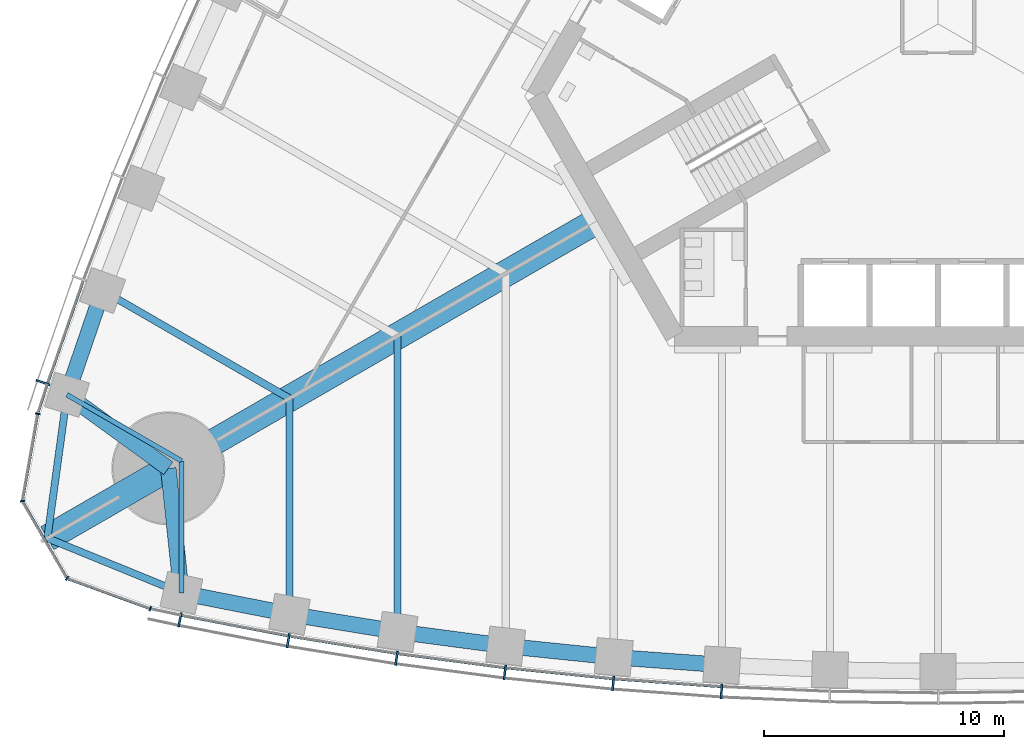
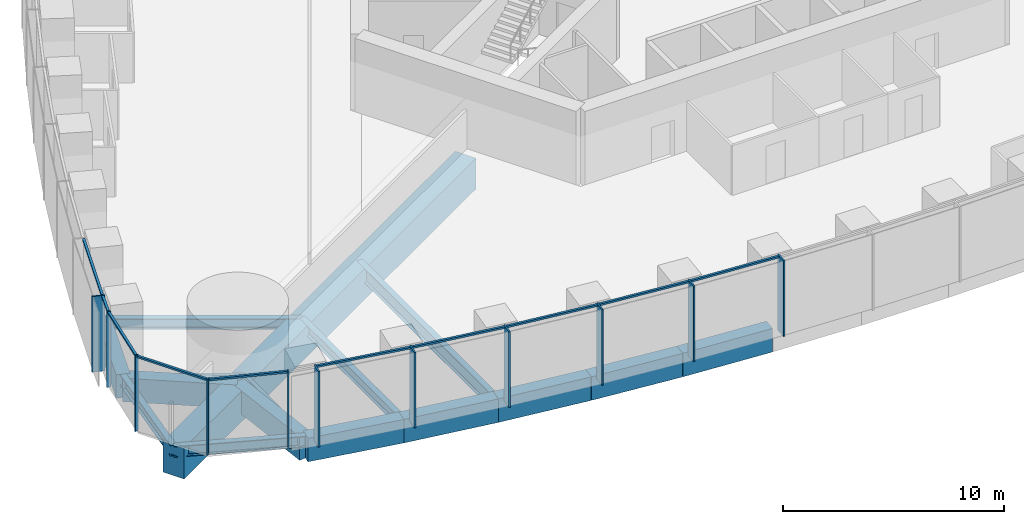
# One storey, part 2 of 18: 21 members, 17 beams, 3 elements without a shape of their own.
"""IFC4 building model written with IfcOpenShell, lengths in metres."""

from ifc_helpers import new_model, si_unit, direction, frame, origin, origin_2d, place, context, subcontext, project, spatial, rectangle, i_section, extrude, material, material_profile, profile_set, type_object, element, aggregate, save


model = new_model("IFC4")

# Units and contexts
model_context = context("Model", 3, precision=1e-05, world=origin(), true_north=direction((0.0, 1.0)))
body_context = subcontext(model_context, "Body", "Model", "MODEL_VIEW")
ifc_project = project(units=[si_unit("LENGTHUNIT", "METRE"), si_unit("AREAUNIT", "SQUARE_METRE"), si_unit("VOLUMEUNIT", "CUBIC_METRE"), si_unit("PLANEANGLEUNIT", "RADIAN"), si_unit("MASSUNIT", "GRAM", prefix="KILO")], contexts=[model_context])

# Site, building, storey
site_placement = place(None, origin())
site = spatial("IfcSite", under=ifc_project, at=site_placement, CompositionType="ELEMENT")
building_placement = place(site_placement, origin())
building = spatial("IfcBuilding", under=site, at=building_placement, Name="Trefoil Bronze Tower", CompositionType="ELEMENT")
storey_placement = place(building_placement, frame((0.0, 0.0, 50.10009765625)))
storey = spatial("IfcBuildingStorey", under=building, at=storey_placement, Name="L11", CompositionType="ELEMENT", Elevation=50.10009765625)

# Curtain wall, members
ifc_material_1 = material(Name="Tinted solar-control glass", Category="glass")
curtain_wall_type_1 = type_object("IfcCurtainWallType", Name="Bronze office curtain wall", PredefinedType="USERDEFINED", material=ifc_material_1)
curtain_wall_1_placement = place(storey_placement, origin())
curtain_wall_1 = element("IfcCurtainWall", 1, at=curtain_wall_1_placement, inside=storey, type_object=curtain_wall_type_1, Name="CW-A L11 F1", ObjectType="CURTAIN WALL", PredefinedType="USERDEFINED")
ifc_material_2 = material(Name="Bronze-finish aluminium", Category="aluminium")
ifc_material_profile_1 = material_profile(ifc_material_2, rectangle(XDim=0.60009765625, YDim=0.080078125, at=origin_2d()), Name="CW-A mullion")
ifc_profile_set_1 = profile_set([ifc_material_profile_1], Name="Bronze-finish aluminium")
member_type_1 = type_object("IfcMemberType", Name="Bronze office curtain wall mullion", PredefinedType="MULLION", material=ifc_profile_set_1)
member_1_placement = place(storey_placement, frame((-31.559326171875, -24.81005859375, 0.0), z_axis=(0.0, 0.0, 1.0), x_axis=(0.197910006829, 0.98022019424, 0.0)))
member_1 = element("IfcMember", 2, at=member_1_placement, type_object=member_type_1, Name="CW-A L11 F1 mullion 2", PredefinedType="MULLION", context=body_context, shape_type="SweptSolid", body=[
    extrude(rectangle(XDim=0.60009765625, YDim=0.080078125, at=origin_2d()), origin(), (0.0, 0.0, 1.0), 4.179931640625),
])
member_2_placement = place(storey_placement, frame((-27.05224609375, -25.67578125, 0.0), z_axis=(0.0, 0.0, 1.0), x_axis=(0.174131146426, 0.984722470468, 0.0)))
member_2 = element("IfcMember", 3, at=member_2_placement, type_object=member_type_1, Name="CW-A L11 F1 mullion 3", PredefinedType="MULLION", context=body_context, shape_type="SweptSolid", body=[
    extrude(rectangle(XDim=0.60009765625, YDim=0.080078125, at=origin_2d()), origin(), (0.0, 0.0, 1.0), 4.179931640625),
])
member_3_placement = place(storey_placement, frame((-22.54345703125, -26.40478515625, 0.0), z_axis=(0.0, 0.0, 1.0), x_axis=(0.145108990094, 0.989415676546, 0.0)))
member_3 = element("IfcMember", 4, at=member_3_placement, type_object=member_type_1, Name="CW-A L11 F1 mullion 4", PredefinedType="MULLION", context=body_context, shape_type="SweptSolid", body=[
    extrude(rectangle(XDim=0.60009765625, YDim=0.080078125, at=origin_2d()), origin(), (0.0, 0.0, 1.0), 4.179931640625),
])
member_4_placement = place(storey_placement, frame((-18.034912109375, -26.99853515625, 0.0), z_axis=(0.0, 0.0, 1.0), x_axis=(0.116086999973, 0.993239048989, 0.0)))
member_4 = element("IfcMember", 5, at=member_4_placement, type_object=member_type_1, Name="CW-A L11 F1 mullion 5", PredefinedType="MULLION", context=body_context, shape_type="SweptSolid", body=[
    extrude(rectangle(XDim=0.60009765625, YDim=0.080078125, at=origin_2d()), origin(), (0.0, 0.0, 1.0), 4.179931640625),
])
member_5_placement = place(storey_placement, frame((-13.526123046875, -27.458984375, 0.0), z_axis=(0.0, 0.0, 1.0), x_axis=(0.087065139456, 0.996202620701, 0.0)))
member_5 = element("IfcMember", 6, at=member_5_placement, type_object=member_type_1, Name="CW-A L11 F1 mullion 6", PredefinedType="MULLION", context=body_context, shape_type="SweptSolid", body=[
    extrude(rectangle(XDim=0.60009765625, YDim=0.080078125, at=origin_2d()), origin(), (0.0, 0.0, 1.0), 4.179931640625),
])
member_6_placement = place(storey_placement, frame((-9.017333984375, -27.786865234375, 0.0), z_axis=(0.0, 0.0, 1.0), x_axis=(0.058043374207, 0.998314062162, 0.0)))
member_6 = element("IfcMember", 7, at=member_6_placement, type_object=member_type_1, Name="CW-A L11 F1 mullion 7", PredefinedType="MULLION", context=body_context, shape_type="SweptSolid", body=[
    extrude(rectangle(XDim=0.60009765625, YDim=0.080078125, at=origin_2d()), origin(), (0.0, 0.0, 1.0), 4.179931640625),
])

# Curtain wall, member
curtain_wall_2_placement = place(storey_placement, origin())
curtain_wall_2 = element("IfcCurtainWall", 8, at=curtain_wall_2_placement, inside=storey, type_object=curtain_wall_type_1, Name="CW-A L11 F3", ObjectType="CURTAIN WALL", PredefinedType="USERDEFINED")
member_7_placement = place(storey_placement, frame((-37.265869140625, -14.92626953125, 0.0), z_axis=(0.0, 0.0, 1.0), x_axis=(0.947850592929, -0.318715003543, 0.0)))
member_7 = element("IfcMember", 9, at=member_7_placement, type_object=member_type_1, Name="CW-A L11 F3 mullion 16", PredefinedType="MULLION", context=body_context, shape_type="SweptSolid", body=[
    extrude(rectangle(XDim=0.60009765625, YDim=0.080078125, at=origin_2d()), origin(), (0.0, 0.0, 1.0), 4.179931640625),
])

# Member
ifc_material_3 = material(Name="Bronze-finish aluminium", Category="aluminium")
ifc_material_profile_2 = material_profile(ifc_material_3, rectangle(XDim=0.1201171875, YDim=0.10009765625, at=origin_2d()), Name="CW-A transom")
ifc_profile_set_2 = profile_set([ifc_material_profile_2], Name="Bronze-finish aluminium")
member_type_2 = type_object("IfcMemberType", Name="Bronze office curtain wall transom", PredefinedType="USERDEFINED", material=ifc_profile_set_2)
member_8_placement = place(storey_placement, frame((-31.4794921875, -24.621826171875, 4.1298828125), z_axis=(0.982053603997, -0.188602011855, 0.0), x_axis=(0.188602011855, 0.982053603997, 0.0)))
member_8 = element("IfcMember", 10, at=member_8_placement, type_object=member_type_2, Name="CW-A L11 F1 transom 2", ObjectType="TRANSOM", PredefinedType="USERDEFINED", context=body_context, shape_type="SweptSolid", body=[
    extrude(rectangle(XDim=0.1201171875, YDim=0.10009765625, at=origin_2d()), origin(), (0.0, 0.0, 1.0), 4.502197265625),
])

member_9_placement = place(storey_placement, frame((-26.9765625, -25.4853515625, 4.1298828125), z_axis=(0.987179401487, -0.159614627398, 0.0), x_axis=(0.159614627398, 0.987179401487, 0.0)))
member_9 = element("IfcMember", 11, at=member_9_placement, type_object=member_type_2, Name="CW-A L11 F1 transom 3", ObjectType="TRANSOM", PredefinedType="USERDEFINED", context=body_context, shape_type="SweptSolid", body=[
    extrude(rectangle(XDim=0.1201171875, YDim=0.10009765625, at=origin_2d()), origin(), (0.0, 0.0, 1.0), 4.478515625),
])

member_10_placement = place(storey_placement, frame((-22.473388671875, -26.212158203125, 4.1298828125), z_axis=(0.991436581643, -0.13058906761, 0.0), x_axis=(0.13058906761, 0.991436581643, 0.0)))
member_10 = element("IfcMember", 12, at=member_10_placement, type_object=member_type_2, Name="CW-A L11 F1 transom 4", ObjectType="TRANSOM", PredefinedType="USERDEFINED", context=body_context, shape_type="SweptSolid", body=[
    extrude(rectangle(XDim=0.1201171875, YDim=0.10009765625, at=origin_2d()), origin(), (0.0, 0.0, 1.0), 4.458740234375),
])

member_11_placement = place(storey_placement, frame((-17.970458984375, -26.80419921875, 4.1298828125), z_axis=(0.994831650915, -0.101538102888, 0.0), x_axis=(0.101538102888, 0.994831650915, 0.0)))
member_11 = element("IfcMember", 13, at=member_11_placement, type_object=member_type_2, Name="CW-A L11 F1 transom 5", ObjectType="TRANSOM", PredefinedType="USERDEFINED", context=body_context, shape_type="SweptSolid", body=[
    extrude(rectangle(XDim=0.1201171875, YDim=0.10009765625, at=origin_2d()), origin(), (0.0, 0.0, 1.0), 4.443359375),
])

member_12_placement = place(storey_placement, frame((-13.46728515625, -27.2626953125, 4.1298828125), z_axis=(0.997364729945, -0.07255064067, 0.0), x_axis=(0.07255064067, 0.997364729945, 0.0)))
member_12 = element("IfcMember", 14, at=member_12_placement, type_object=member_type_2, Name="CW-A L11 F1 transom 6", ObjectType="TRANSOM", PredefinedType="USERDEFINED", context=body_context, shape_type="SweptSolid", body=[
    extrude(rectangle(XDim=0.1201171875, YDim=0.10009765625, at=origin_2d()), origin(), (0.0, 0.0, 1.0), 4.431884765625),
])

aggregate(curtain_wall_1, [member_1, member_2, member_3, member_4, member_5, member_6, member_8, member_9, member_10, member_11, member_12])

member_13_placement = place(storey_placement, frame((-35.587646484375, -10.697509765625, 4.1298828125), z_axis=(-0.327689728493, -0.944785394595, 0.0), x_axis=(0.944785394595, -0.327689728493, 0.0)))
member_13 = element("IfcMember", 15, at=member_13_placement, type_object=member_type_2, Name="CW-A L11 F3 transom 15", ObjectType="TRANSOM", PredefinedType="USERDEFINED", context=body_context, shape_type="SweptSolid", body=[
    extrude(rectangle(XDim=0.1201171875, YDim=0.10009765625, at=origin_2d()), origin(), (0.0, 0.0, 1.0), 4.502197265625),
])

member_14_placement = place(storey_placement, frame((-37.089111328125, -15.02880859375, 4.1298828125), z_axis=(-0.309624219148, -0.950859002648, 0.0), x_axis=(0.950859002648, -0.309624219148, 0.0)))
member_14 = element("IfcMember", 16, at=member_14_placement, type_object=member_type_2, Name="CW-A L11 F3 transom 16", ObjectType="TRANSOM", PredefinedType="USERDEFINED", context=body_context, shape_type="SweptSolid", body=[
    extrude(rectangle(XDim=0.1201171875, YDim=0.10009765625, at=origin_2d()), origin(), (0.0, 0.0, 1.0), 1.21044921875),
])

aggregate(curtain_wall_2, [member_7, member_13, member_14])

# Curtain wall, members
ifc_material_4 = material(Name="Tinted solar-control glass", Category="glass")
curtain_wall_type_2 = type_object("IfcCurtainWallType", Name="Bronze rounded corner curtain wall", PredefinedType="USERDEFINED", material=ifc_material_4)
curtain_wall_3_placement = place(storey_placement, origin())
curtain_wall_3 = element("IfcCurtainWall", 17, at=curtain_wall_3_placement, inside=storey, type_object=curtain_wall_type_2, Name="CW-B L11 K3", ObjectType="CURTAIN WALL", PredefinedType="USERDEFINED")
ifc_material_5 = material(Name="Bronze-finish aluminium", Category="aluminium")
ifc_material_profile_3 = material_profile(ifc_material_5, rectangle(XDim=0.199951171875, YDim=0.06005859375, at=origin_2d()), Name="CW-B mullion")
ifc_profile_set_3 = profile_set([ifc_material_profile_3], Name="Bronze-finish aluminium")
member_type_3 = type_object("IfcMemberType", Name="Bronze rounded corner curtain wall mullion", PredefinedType="MULLION", material=ifc_profile_set_3)
member_15_placement = place(storey_placement, frame((-37.479736328125, -16.2314453125, 0.0), z_axis=(0.0, 0.0, 1.0), x_axis=(0.984807753012, -0.173648177667, 0.0)))
member_15 = element("IfcMember", 18, at=member_15_placement, type_object=member_type_3, Name="CW-B L11 K3 mullion 1", PredefinedType="MULLION", context=body_context, shape_type="SweptSolid", body=[
    extrude(rectangle(XDim=0.199951171875, YDim=0.06005859375, at=origin_2d()), origin(), (0.0, 0.0, 1.0), 4.179931640625),
])
member_16_placement = place(storey_placement, frame((-38.11328125, -19.85888671875, 0.0), z_axis=(0.0, 0.0, 1.0), x_axis=(0.984807753012, 0.173648177667, 0.0)))
member_16 = element("IfcMember", 19, at=member_16_placement, type_object=member_type_3, Name="CW-B L11 K3 mullion 2", PredefinedType="MULLION", context=body_context, shape_type="SweptSolid", body=[
    extrude(rectangle(XDim=0.199951171875, YDim=0.06005859375, at=origin_2d()), origin(), (0.0, 0.0, 1.0), 4.179931640625),
])
member_17_placement = place(storey_placement, frame((-36.2548828125, -23.07763671875, 0.0), z_axis=(0.0, 0.0, 1.0), x_axis=(0.642787609687, 0.766044443119, 0.0)))
member_17 = element("IfcMember", 20, at=member_17_placement, type_object=member_type_3, Name="CW-B L11 K3 mullion 3", PredefinedType="MULLION", context=body_context, shape_type="SweptSolid", body=[
    extrude(rectangle(XDim=0.199951171875, YDim=0.06005859375, at=origin_2d()), origin(), (0.0, 0.0, 1.0), 4.179931640625),
])
member_18_placement = place(storey_placement, frame((-32.796630859375, -24.3427734375, 0.0), z_axis=(0.0, 0.0, 1.0), x_axis=(0.342020143326, 0.939692620786, 0.0)))
member_18 = element("IfcMember", 21, at=member_18_placement, type_object=member_type_3, Name="CW-B L11 K3 mullion 4", PredefinedType="MULLION", context=body_context, shape_type="SweptSolid", body=[
    extrude(rectangle(XDim=0.199951171875, YDim=0.06005859375, at=origin_2d()), origin(), (0.0, 0.0, 1.0), 4.179931640625),
])
ifc_material_6 = material(Name="Bronze-finish aluminium", Category="aluminium")
ifc_material_profile_4 = material_profile(ifc_material_6, rectangle(XDim=0.1201171875, YDim=0.10009765625, at=origin_2d()), Name="CW-B transom")
ifc_profile_set_4 = profile_set([ifc_material_profile_4], Name="Bronze-finish aluminium")
member_type_4 = type_object("IfcMemberType", Name="Bronze rounded corner curtain wall transom", PredefinedType="USERDEFINED", material=ifc_profile_set_4)
member_19_placement = place(storey_placement, frame((-37.48486328125, -16.260986328125, 4.1298828125), z_axis=(-0.17363783606, -0.984809576461, 0.0), x_axis=(0.984809576461, -0.17363783606, 0.0)))
member_19 = element("IfcMember", 22, at=member_19_placement, type_object=member_type_4, Name="CW-B L11 K3 transom 1", ObjectType="TRANSOM", PredefinedType="USERDEFINED", context=body_context, shape_type="SweptSolid", body=[
    extrude(rectangle(XDim=0.1201171875, YDim=0.10009765625, at=origin_2d()), origin(), (0.0, 0.0, 1.0), 3.588134765625),
])
member_20_placement = place(storey_placement, frame((-38.08642578125, -19.91748046875, 4.1298828125), z_axis=(0.500024788772, -0.866011091507, 0.0), x_axis=(0.866011091507, 0.500024788772, 0.0)))
member_20 = element("IfcMember", 23, at=member_20_placement, type_object=member_type_4, Name="CW-B L11 K3 transom 2", ObjectType="TRANSOM", PredefinedType="USERDEFINED", context=body_context, shape_type="SweptSolid", body=[
    extrude(rectangle(XDim=0.1201171875, YDim=0.10009765625, at=origin_2d()), origin(), (0.0, 0.0, 1.0), 3.588134765625),
])
member_21_placement = place(storey_placement, frame((-36.196533203125, -23.105224609375, 4.1298828125), z_axis=(0.939688092095, -0.342032585545, 0.0), x_axis=(0.342032585545, 0.939688092095, 0.0)))
member_21 = element("IfcMember", 24, at=member_21_placement, type_object=member_type_4, Name="CW-B L11 K3 transom 3", ObjectType="TRANSOM", PredefinedType="USERDEFINED", context=body_context, shape_type="SweptSolid", body=[
    extrude(rectangle(XDim=0.1201171875, YDim=0.10009765625, at=origin_2d()), origin(), (0.0, 0.0, 1.0), 3.588134765625),
])
aggregate(curtain_wall_3, [member_15, member_16, member_17, member_18, member_19, member_20, member_21])

# Beams
ifc_material_7 = material(Name="Concrete B80", Category="concrete")
ifc_material_profile_5 = material_profile(ifc_material_7, rectangle(XDim=1.10009765625, YDim=1.699951171875, at=origin_2d()), Name="RC 1100x1700")
ifc_profile_set_5 = profile_set([ifc_material_profile_5], Name="Concrete B80")
beam_type_1 = type_object("IfcBeamType", Name="Corner cantilever RC 1100x1700", PredefinedType="BEAM", material=ifc_profile_set_5)
beam_1_placement = place(storey_placement, frame((-32.04296875, -18.5, -1.050048828125), z_axis=(-0.866030348588, -0.499991435252, 0.0), x_axis=(0.499991435252, -0.866030348588, 0.0)))
element("IfcBeam", 25, at=beam_1_placement, inside=storey, type_object=beam_type_1, Name="Corner cantilever K3 L11", PredefinedType="BEAM", context=body_context, shape_type="SweptSolid", body=[
    extrude(rectangle(XDim=1.10009765625, YDim=1.699951171875, at=origin_2d()), origin(), (0.0, 0.0, 1.0), 5.81396484375),
])
ifc_material_8 = material(Name="Steel C355", Category="steel")
ifc_material_profile_6 = material_profile(ifc_material_8, i_section(OverallWidth=0.300048828125, OverallDepth=0.60009765625, WebThickness=0.015380859375, FlangeThickness=0.030029296875, FilletRadius=0.027099609375, at=origin_2d()), Name="HEB 600")
ifc_profile_set_6 = profile_set([ifc_material_profile_6], Name="Steel C355")
beam_type_2 = type_object("IfcBeamType", Name="Corner edge beam HEB 600", PredefinedType="BEAM", material=ifc_profile_set_6)
beam_2_placement = place(storey_placement, frame((-31.5, -23.684814453125, -0.5), z_axis=(-0.925786874353, 0.378045848114, 0.0), x_axis=(-0.378045848114, -0.925786874353, 0.0)))
element("IfcBeam", 26, at=beam_2_placement, inside=storey, type_object=beam_type_2, Name="Corner edge beam F1B L11", PredefinedType="BEAM", context=body_context, shape_type="SweptSolid", body=[
    extrude(i_section(OverallWidth=0.300048828125, OverallDepth=0.60009765625, WebThickness=0.015380859375, FlangeThickness=0.030029296875, FilletRadius=0.027099609375, at=origin_2d()), origin(), (0.0, 0.0, 1.0), 6.025390625),
])
beam_3_placement = place(storey_placement, frame((-36.26171875, -15.4375, -0.5), z_axis=(-0.13550196505, -0.990777077585, 0.0), x_axis=(0.990777077585, -0.13550196505, 0.0)))
element("IfcBeam", 27, at=beam_3_placement, inside=storey, type_object=beam_type_2, Name="Corner edge beam F3A L11", PredefinedType="BEAM", context=body_context, shape_type="SweptSolid", body=[
    extrude(i_section(OverallWidth=0.300048828125, OverallDepth=0.60009765625, WebThickness=0.015380859375, FlangeThickness=0.030029296875, FilletRadius=0.027099609375, at=origin_2d()), origin(), (0.0, 0.0, 1.0), 6.025146484375),
])
ifc_material_9 = material(Name="Concrete B80", Category="concrete")
ifc_material_profile_7 = material_profile(ifc_material_9, rectangle(XDim=1.10009765625, YDim=1.699951171875, at=origin_2d()), Name="RC 1100x1700")
ifc_profile_set_7 = profile_set([ifc_material_profile_7], Name="Concrete B80")
beam_type_3 = type_object("IfcBeamType", Name="Corner girder RC 1100x1700", PredefinedType="BEAM", material=ifc_profile_set_7)
beam_4_placement = place(storey_placement, frame((-14.202880859375, -8.199951171875, -1.050048828125), z_axis=(-0.866023947468, -0.500002522405, 0.0), x_axis=(0.500002522405, -0.866023947468, 0.0)))
element("IfcBeam", 28, at=beam_4_placement, inside=storey, type_object=beam_type_3, Name="Corner girder K3 L11", PredefinedType="BEAM", context=body_context, shape_type="SweptSolid", body=[
    extrude(rectangle(XDim=1.10009765625, YDim=1.699951171875, at=origin_2d()), origin(), (0.0, 0.0, 1.0), 20.60009765625),
])
ifc_material_10 = material(Name="Concrete B80", Category="concrete")
ifc_material_profile_8 = material_profile(ifc_material_10, rectangle(XDim=0.64990234375, YDim=1.300048828125, at=origin_2d()), Name="RC 650x1300")
ifc_profile_set_8 = profile_set([ifc_material_profile_8], Name="Concrete B80")
beam_type_4 = type_object("IfcBeamType", Name="End spandrel beam RC 650x1300", PredefinedType="SPANDREL", material=ifc_profile_set_8)
for number, where, z_axis, x_axis, name in (
    (29, (-32.04296875, -18.5, -0.85009765625), (0.104153327908, -0.994561252154, 0.0), (0.994561252154, 0.104153327908, 0.0), "Spandrel F1.1 L11"),
    (30, (-36.26171875, -15.4375, -0.85009765625), (0.809254211267, -0.587458612624, 0.0), (0.587458612624, 0.809254211267, 0.0), "Spandrel F3.16 L11"),
):
    element("IfcBeam", number, at=place(storey_placement, frame(where, z_axis=z_axis, x_axis=x_axis)), inside=storey, type_object=beam_type_4, Name=name, PredefinedType="SPANDREL", context=body_context, shape_type="SweptSolid", body=[
        extrude(rectangle(XDim=0.64990234375, YDim=1.300048828125, at=origin_2d()), origin(), (0.0, 0.0, 1.0), 5.213134765625),
    ])
ifc_material_11 = material(Name="Steel C355", Category="steel")
ifc_material_profile_9 = material_profile(ifc_material_11, i_section(OverallWidth=0.300048828125, OverallDepth=0.590087890625, WebThickness=0.012939453125, FlangeThickness=0.02490234375, FilletRadius=0.027099609375, at=origin_2d()), Name="HEA 600")
ifc_profile_set_9 = profile_set([ifc_material_profile_9], Name="Steel C355")
beam_type_5 = type_object("IfcBeamType", Name="Floor beam HEA 600", PredefinedType="BEAM", material=ifc_profile_set_9)
for number, where, z_axis, x_axis, name in (
    (31, (-27.0, -24.56787109375, -0.4951171875), (0.0, 1.0, 0.0), (-1.0, 0.0, 0.0), "Floor beam F1/-6 L11"),
    (32, (-34.7763671875, -11.0986328125, -0.4951171875), (0.866022587327, -0.500004878216, 0.0), (0.500004878216, 0.866022587327, 0.0), "Floor beam F3/+6 L11"),
):
    element("IfcBeam", number, at=place(storey_placement, frame(where, z_axis=z_axis, x_axis=x_axis)), inside=storey, type_object=beam_type_5, Name=name, PredefinedType="BEAM", context=body_context, shape_type="SweptSolid", body=[
        extrude(i_section(OverallWidth=0.300048828125, OverallDepth=0.590087890625, WebThickness=0.012939453125, FlangeThickness=0.02490234375, FilletRadius=0.027099609375, at=origin_2d()), origin(), (0.0, 0.0, 1.0), 8.9794921875),
    ])
ifc_material_12 = material(Name="Steel C355", Category="steel")
ifc_material_profile_10 = material_profile(ifc_material_12, i_section(OverallWidth=0.300048828125, OverallDepth=0.800048828125, WebThickness=0.017578125, FlangeThickness=0.032958984375, FilletRadius=0.030029296875, at=origin_2d()), Name="HEB 800")
ifc_profile_set_10 = profile_set([ifc_material_profile_10], Name="Steel C355")
beam_type_6 = type_object("IfcBeamType", Name="Floor beam HEB 800", PredefinedType="BEAM", material=ifc_profile_set_10)
beam_5_placement = place(storey_placement, frame((-22.5, -25.29931640625, -0.60009765625), z_axis=(0.0, 1.0, 0.0), x_axis=(-1.0, 0.0, 0.0)))
element("IfcBeam", 33, at=beam_5_placement, inside=storey, type_object=beam_type_6, Name="Floor beam F1/-5 L11", PredefinedType="BEAM", context=body_context, shape_type="SweptSolid", body=[
    extrude(i_section(OverallWidth=0.300048828125, OverallDepth=0.800048828125, WebThickness=0.017578125, FlangeThickness=0.032958984375, FilletRadius=0.030029296875, at=origin_2d()), origin(), (0.0, 0.0, 1.0), 12.308837890625),
])
ifc_material_13 = material(Name="Steel C355", Category="steel")
ifc_material_profile_11 = material_profile(ifc_material_13, i_section(OverallWidth=0.199951171875, OverallDepth=0.5, WebThickness=0.01025390625, FlangeThickness=0.01611328125, FilletRadius=0.02099609375, at=origin_2d()), Name="IPE 500")
ifc_profile_set_11 = profile_set([ifc_material_profile_11], Name="Steel C355")
beam_type_7 = type_object("IfcBeamType", Name="Floor beam IPE 500", PredefinedType="BEAM", material=ifc_profile_set_11)
for number, where, z_axis, x_axis, name in (
    (34, (-31.5, -23.684814453125, -0.4501953125), (0.0, 1.0, 0.0), (-1.0, 0.0, 0.0), "Floor beam F1/-7 L11"),
    (35, (-36.26171875, -15.4375, -0.4501953125), (0.866037702141, -0.499978698016, 0.0), (0.499978698016, 0.866037702141, 0.0), "Floor beam F3/+7 L11"),
):
    element("IfcBeam", number, at=place(storey_placement, frame(where, z_axis=z_axis, x_axis=x_axis)), inside=storey, type_object=beam_type_7, Name=name, PredefinedType="BEAM", context=body_context, shape_type="SweptSolid", body=[
        extrude(i_section(OverallWidth=0.199951171875, OverallDepth=0.5, WebThickness=0.01025390625, FlangeThickness=0.01611328125, FilletRadius=0.02099609375, at=origin_2d()), origin(), (0.0, 0.0, 1.0), 5.498291015625),
    ])
ifc_material_14 = material(Name="Concrete B80", Category="concrete")
ifc_material_profile_12 = material_profile(ifc_material_14, rectangle(XDim=0.64990234375, YDim=1.300048828125, at=origin_2d()), Name="RC 650x1300")
ifc_profile_set_12 = profile_set([ifc_material_profile_12], Name="Concrete B80")
beam_type_8 = type_object("IfcBeamType", Name="Spandrel beam RC 650x1300", PredefinedType="SPANDREL", material=ifc_profile_set_12)
beam_6_placement = place(storey_placement, frame((-31.5, -23.684814453125, -0.85009765625), z_axis=(0.981284764092, -0.192562228283, 0.0), x_axis=(0.192562228283, 0.981284764092, 0.0)))
element("IfcBeam", 36, at=beam_6_placement, inside=storey, type_object=beam_type_8, Name="Spandrel F1.2 L11", PredefinedType="SPANDREL", context=body_context, shape_type="SweptSolid", body=[
    extrude(rectangle(XDim=0.64990234375, YDim=1.300048828125, at=origin_2d()), origin(), (0.0, 0.0, 1.0), 4.5859375),
])
beam_7_placement = place(storey_placement, frame((-27.0, -24.56787109375, -0.85009765625), z_axis=(0.987045951254, -0.160437807615, 0.0), x_axis=(0.160437807615, 0.987045951254, 0.0)))
element("IfcBeam", 37, at=beam_7_placement, inside=storey, type_object=beam_type_8, Name="Spandrel F1.3 L11", PredefinedType="SPANDREL", context=body_context, shape_type="SweptSolid", body=[
    extrude(rectangle(XDim=0.64990234375, YDim=1.300048828125, at=origin_2d()), origin(), (0.0, 0.0, 1.0), 4.55908203125),
])
beam_8_placement = place(storey_placement, frame((-22.5, -25.29931640625, -0.85009765625), z_axis=(0.991344474846, -0.131286450906, 0.0), x_axis=(0.131286450906, 0.991344474846, 0.0)))
element("IfcBeam", 38, at=beam_8_placement, inside=storey, type_object=beam_type_8, Name="Spandrel F1.4 L11", PredefinedType="SPANDREL", context=body_context, shape_type="SweptSolid", body=[
    extrude(rectangle(XDim=0.64990234375, YDim=1.300048828125, at=origin_2d()), origin(), (0.0, 0.0, 1.0), 4.539306640625),
])
beam_9_placement = place(storey_placement, frame((-18.0, -25.895263671875, -0.85009765625), z_axis=(0.994778488621, -0.102057623805, 0.0), x_axis=(0.102057623805, 0.994778488621, 0.0)))
element("IfcBeam", 39, at=beam_9_placement, inside=storey, type_object=beam_type_8, Name="Spandrel F1.5 L11", PredefinedType="SPANDREL", context=body_context, shape_type="SweptSolid", body=[
    extrude(rectangle(XDim=0.64990234375, YDim=1.300048828125, at=origin_2d()), origin(), (0.0, 0.0, 1.0), 4.523681640625),
])
beam_10_placement = place(storey_placement, frame((-13.5, -26.35693359375, -0.85009765625), z_axis=(0.997336412354, -0.072938882588, 0.0), x_axis=(0.072938882588, 0.997336412354, 0.0)))
element("IfcBeam", 40, at=beam_10_placement, inside=storey, type_object=beam_type_8, Name="Spandrel F1.6 L11", PredefinedType="SPANDREL", context=body_context, shape_type="SweptSolid", body=[
    extrude(rectangle(XDim=0.64990234375, YDim=1.300048828125, at=origin_2d()), origin(), (0.0, 0.0, 1.0), 4.511962890625),
])
beam_11_placement = place(storey_placement, frame((-34.7763671875, -11.0986328125, -0.85009765625), z_axis=(-0.323883319148, -0.946097032855, 0.0), x_axis=(0.946097032855, -0.323883319148, 0.0)))
element("IfcBeam", 41, at=beam_11_placement, inside=storey, type_object=beam_type_8, Name="Spandrel F3.15 L11", PredefinedType="SPANDREL", context=body_context, shape_type="SweptSolid", body=[
    extrude(rectangle(XDim=0.64990234375, YDim=1.300048828125, at=origin_2d()), origin(), (0.0, 0.0, 1.0), 4.586181640625),
])

save(model, "model.ifc")
